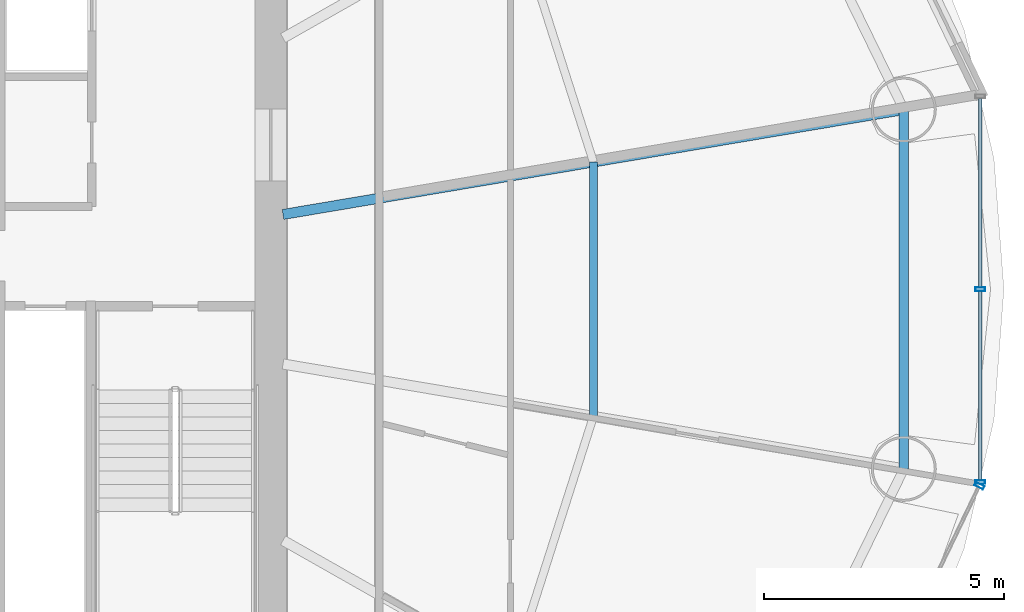
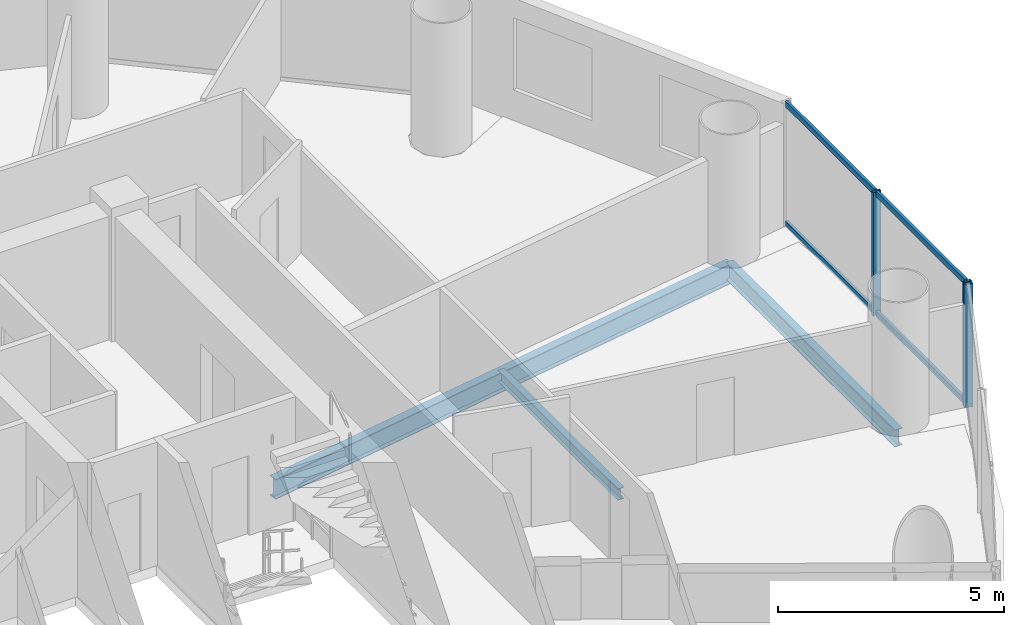
# One storey, part 12 of 26: 7 members, 3 beams, 2 elements without a shape of their own.
"""IFC4 building model written with IfcOpenShell, lengths in metres."""

from ifc_helpers import new_model, si_unit, direction, frame, origin, origin_2d, place, context, subcontext, project, spatial, hollow_rectangle, i_section, extrude, source, transform, mapped, material, material_profile, profile_set, type_object, element, aggregate, save


model = new_model("IFC4")

# Units and contexts
model_context = context("Model", 3, precision=1e-05, world=origin(), true_north=direction((-0.2419218956, 0.970295726276)))
body_context = subcontext(model_context, "Body", "Model", "MODEL_VIEW")
ifc_project = project(units=[si_unit("LENGTHUNIT", "METRE"), si_unit("AREAUNIT", "SQUARE_METRE"), si_unit("VOLUMEUNIT", "CUBIC_METRE"), si_unit("PLANEANGLEUNIT", "RADIAN"), si_unit("MASSUNIT", "GRAM", prefix="KILO")], contexts=[model_context])

# Site, building, storey
site_placement = place(None, origin())
site = spatial("IfcSite", under=ifc_project, at=site_placement, CompositionType="ELEMENT")
building_placement = place(site_placement, origin())
building = spatial("IfcBuilding", under=site, at=building_placement, Name="Cobrevalo Terracotta Tower", CompositionType="ELEMENT")
storey_placement = place(building_placement, frame((0.0, 0.0, 139.0)))
storey = spatial("IfcBuildingStorey", under=building, at=storey_placement, Name="L36", CompositionType="ELEMENT", Elevation=139.0)

# Beams
ifc_material_1 = material(Name="Steel S355", Category="steel")
ifc_material_profile_1 = material_profile(ifc_material_1, i_section(OverallWidth=0.2109375, OverallDepth=0.5390625, WebThickness=0.01171875, FlangeThickness=0.018798828125, at=origin_2d()), Name="W 530x109")
ifc_profile_set_1 = profile_set([ifc_material_profile_1], Name="Steel S355")
beam_type_1 = type_object("IfcBeamType", Name="Structural Beam W 530x109 (Steel S355)", PredefinedType="BEAM", material=ifc_profile_set_1)
beam_1_placement = place(storey_placement, frame((60.11669921875, 30.535888671875, -0.53955078125), z_axis=(-0.986032794282, -0.166551279191, 0.0), x_axis=(0.166551279191, -0.986032794282, 0.0)))
element("IfcBeam", 1, at=beam_1_placement, inside=storey, type_object=beam_type_1, Name="L36 radial floor girder 01", PredefinedType="BEAM", context=body_context, shape_type="SweptSolid", body=[
    extrude(i_section(OverallWidth=0.2109375, OverallDepth=0.5390625, WebThickness=0.01171875, FlangeThickness=0.018798828125, at=origin_2d()), origin(), (0.0, 0.0, 1.0), 13.094482421875),
])
ifc_material_profile_2 = material_profile(ifc_material_1, i_section(OverallWidth=0.1650390625, OverallDepth=0.31005859375, WebThickness=0.005859375, FlangeThickness=0.009765625, at=origin_2d()), Name="W 310x38.7")
ifc_profile_set_2 = profile_set([ifc_material_profile_2], Name="Steel S355")
beam_type_2 = type_object("IfcBeamType", Name="Structural Joist W 310x38.7 (Steel S355)", PredefinedType="JOIST", material=ifc_profile_set_2)
beam_2_placement = place(storey_placement, frame((53.660888671875, 24.154541015625, -0.425048828125), z_axis=(0.0, 1.0, 0.0), x_axis=(-1.0, 0.0, 0.0)))
element("IfcBeam", 2, at=beam_2_placement, inside=storey, type_object=beam_type_2, Name="L36 circumferential secondary floor joist 16", PredefinedType="JOIST", context=body_context, shape_type="SweptSolid", body=[
    extrude(i_section(OverallWidth=0.1650390625, OverallDepth=0.31005859375, WebThickness=0.005859375, FlangeThickness=0.009765625, at=origin_2d()), origin(), (0.0, 0.0, 1.0), 5.291015625),
])
ifc_material_profile_3 = material_profile(ifc_material_1, i_section(OverallWidth=0.194091796875, OverallDepth=0.468994140625, WebThickness=0.011474609375, FlangeThickness=0.0205078125, at=origin_2d()), Name="W 460x106")
ifc_profile_set_3 = profile_set([ifc_material_profile_3], Name="Steel S355")
beam_type_3 = type_object("IfcBeamType", Name="Structural Spandrel W 460x106 (Steel S355)", PredefinedType="SPANDREL", material=ifc_profile_set_3)
beam_3_placement = place(storey_placement, frame((60.11669921875, 23.06396484375, -0.50439453125), z_axis=(0.0, 1.0, 0.0), x_axis=(-1.0, 0.0, 0.0)))
element("IfcBeam", 3, at=beam_3_placement, inside=storey, type_object=beam_type_3, Name="L36 perimeter ring spandrel 16", PredefinedType="SPANDREL", context=body_context, shape_type="SweptSolid", body=[
    extrude(i_section(OverallWidth=0.194091796875, OverallDepth=0.468994140625, WebThickness=0.011474609375, FlangeThickness=0.0205078125, at=origin_2d()), origin(), (0.0, 0.0, 1.0), 7.471923828125),
])

# Curtain wall, member
ifc_material_2 = material(Name="Anodized aluminium", Category="aluminium")
curtain_wall_type = type_object("IfcCurtainWallType", Name="Mid-tower high-wind unitised curtain wall CW-U2", PredefinedType="NOTDEFINED", material=ifc_material_2)
curtain_wall_1_placement = place(storey_placement, origin())
curtain_wall_1 = element("IfcCurtainWall", 4, at=curtain_wall_1_placement, inside=storey, type_object=curtain_wall_type, Name="L36 curtain wall CW-L36-S15", PredefinedType="NOTDEFINED")
ifc_material_profile_4 = material_profile(ifc_material_2, hollow_rectangle(XDim=0.074951171875, YDim=0.199951171875, WallThickness=0.0048828125, at=origin_2d()), Name="CWM 75x200")
ifc_profile_set_4 = profile_set([ifc_material_profile_4], Name="Anodized aluminium")
member_type_1 = type_object("IfcMemberType", Name="Lower/mid tower unitised mullion 75x200", PredefinedType="MULLION", material=ifc_profile_set_4)
shared_shape_1 = source(origin(), body_context, "Body", "SweptSolid", [
    extrude(hollow_rectangle(XDim=0.074951171875, YDim=0.199951171875, WallThickness=0.0048828125, at=origin_2d()), origin(), (0.0, 0.0, 1.0), 3.330078125),
])
member_1_placement = place(storey_placement, frame((61.688232421875, 22.7119140625, 0.0), z_axis=(0.0, 0.0, 1.0), x_axis=(0.434209440271, 0.900811945957, 0.0)))
member_1 = element("IfcMember", 5, at=member_1_placement, type_object=member_type_1, Name="CW-L36-S15 vertical mullion 03", PredefinedType="MULLION", context=body_context, shape_type="MappedRepresentation", body=[
    mapped(shared_shape_1, transform((0.0, 0.0, 0.0), scale=1.0)),
])
aggregate(curtain_wall_1, [member_1])

# Curtain wall, members
curtain_wall_2_placement = place(storey_placement, origin())
curtain_wall_2 = element("IfcCurtainWall", 6, at=curtain_wall_2_placement, inside=storey, type_object=curtain_wall_type, Name="L36 curtain wall CW-L36-S16", PredefinedType="NOTDEFINED")
member_2_placement = place(storey_placement, frame((61.70556640625, 22.7880859375, 0.0), z_axis=(0.0, 0.0, 1.0), x_axis=(0.0, 1.0, 0.0)))
member_2 = element("IfcMember", 7, at=member_2_placement, type_object=member_type_1, Name="CW-L36-S16 vertical mullion 01", PredefinedType="MULLION", context=body_context, shape_type="MappedRepresentation", body=[
    mapped(shared_shape_1, transform((0.0, 0.0, 0.0), scale=1.0)),
])
member_3_placement = place(storey_placement, frame((61.70556640625, 26.800048828125, 0.0), z_axis=(0.0, 0.0, 1.0), x_axis=(0.0, 1.0, 0.0)))
member_3 = element("IfcMember", 8, at=member_3_placement, type_object=member_type_1, Name="CW-L36-S16 vertical mullion 02", PredefinedType="MULLION", context=body_context, shape_type="MappedRepresentation", body=[
    mapped(shared_shape_1, transform((0.0, 0.0, 0.0), scale=1.0)),
])
ifc_material_profile_5 = material_profile(ifc_material_2, hollow_rectangle(XDim=0.074951171875, YDim=0.14990234375, WallThickness=0.00439453125, at=origin_2d()), Name="CWT 75x150")
ifc_profile_set_5 = profile_set([ifc_material_profile_5], Name="Anodized aluminium")
member_type_2 = type_object("IfcMemberType", Name="Tower unitised aluminium transom 75x150", PredefinedType="USERDEFINED", material=ifc_profile_set_5)
shared_shape_2 = source(origin(), body_context, "Body", "SweptSolid", [
    extrude(hollow_rectangle(XDim=0.074951171875, YDim=0.14990234375, WallThickness=0.00439453125, at=origin_2d()), origin(), (0.0, 0.0, 1.0), 3.931884765625),
])
member_4_placement = place(storey_placement, frame((61.70556640625, 26.840087890625, 0.050048828125), z_axis=(0.0, 1.0, 0.0), x_axis=(-1.0, 0.0, 0.0)))
member_4 = element("IfcMember", 9, at=member_4_placement, type_object=member_type_2, Name="CW-L36-S16 transom B02-T1", ObjectType="TRANSOM", PredefinedType="USERDEFINED", context=body_context, shape_type="MappedRepresentation", body=[
    mapped(shared_shape_2, transform((0.0, 0.0, 0.0), scale=1.0)),
])
member_5_placement = place(storey_placement, frame((61.70556640625, 26.840087890625, 3.280029296875), z_axis=(0.0, 1.0, 0.0), x_axis=(-1.0, 0.0, 0.0)))
member_5 = element("IfcMember", 10, at=member_5_placement, type_object=member_type_2, Name="CW-L36-S16 transom B02-T2", ObjectType="TRANSOM", PredefinedType="USERDEFINED", context=body_context, shape_type="MappedRepresentation", body=[
    mapped(shared_shape_2, transform((0.0, 0.0, 0.0), scale=1.0)),
])
shared_shape_3 = source(origin(), body_context, "Body", "SweptSolid", [
    extrude(hollow_rectangle(XDim=0.074951171875, YDim=0.14990234375, WallThickness=0.00439453125, at=origin_2d()), origin(), (0.0, 0.0, 1.0), 3.93212890625),
])
member_6_placement = place(storey_placement, frame((61.70556640625, 22.827880859375, 0.050048828125), z_axis=(0.0, 1.0, 0.0), x_axis=(-1.0, 0.0, 0.0)))
member_6 = element("IfcMember", 11, at=member_6_placement, type_object=member_type_2, Name="CW-L36-S16 transom B01-T1", ObjectType="TRANSOM", PredefinedType="USERDEFINED", context=body_context, shape_type="MappedRepresentation", body=[
    mapped(shared_shape_3, transform((0.0, 0.0, 0.0), scale=1.0)),
])
member_7_placement = place(storey_placement, frame((61.70556640625, 22.827880859375, 3.280029296875), z_axis=(0.0, 1.0, 0.0), x_axis=(-1.0, 0.0, 0.0)))
member_7 = element("IfcMember", 12, at=member_7_placement, type_object=member_type_2, Name="CW-L36-S16 transom B01-T2", ObjectType="TRANSOM", PredefinedType="USERDEFINED", context=body_context, shape_type="MappedRepresentation", body=[
    mapped(shared_shape_3, transform((0.0, 0.0, 0.0), scale=1.0)),
])
aggregate(curtain_wall_2, [member_2, member_3, member_6, member_7, member_4, member_5])

save(model, "model.ifc")
